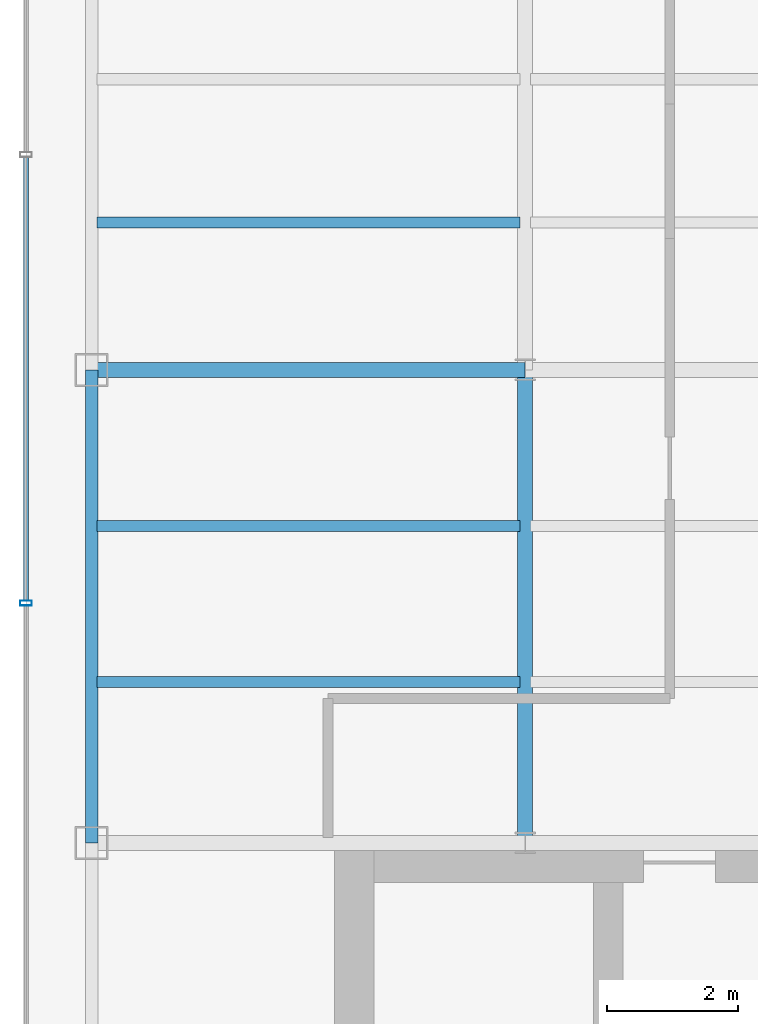
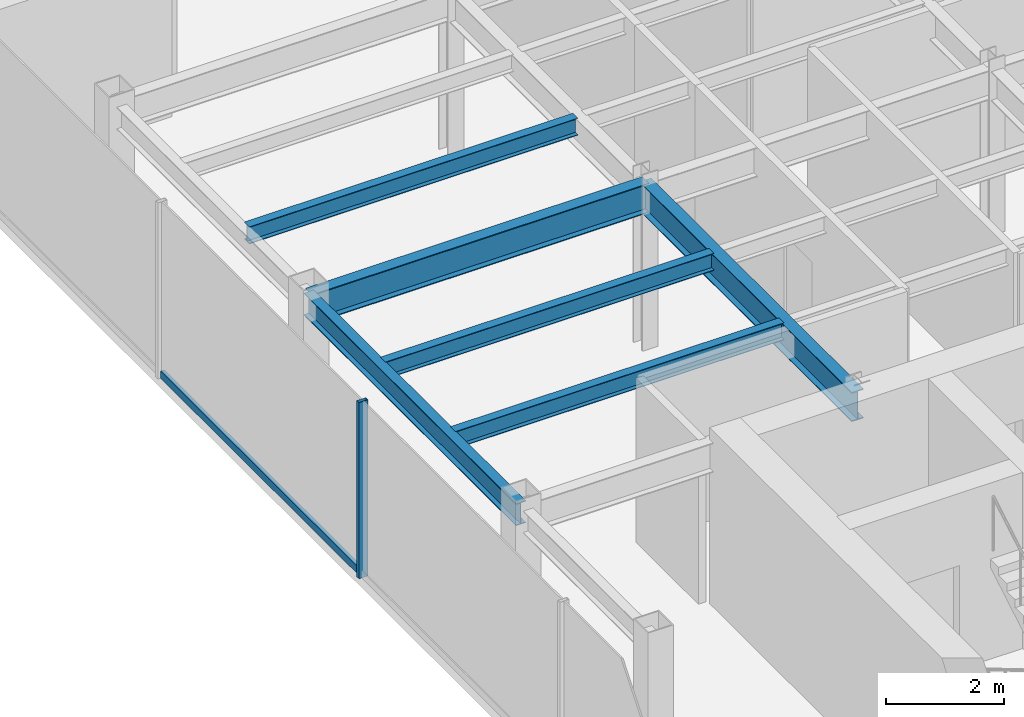
# One storey, part 5 of 22: 6 beams, 2 members, 1 element without a shape of its own.
"""IFC4 building model written with IfcOpenShell, lengths in metres."""

from ifc_helpers import new_model, si_unit, derived_unit, direction, frame, origin, origin_2d, place, context, subcontext, project, spatial, hollow_rectangle, i_section, extrude, source, transform, mapped, material, material_profile, profile_set, type_object, element, aggregate, save


model = new_model("IFC4")

# Units and contexts
model_context = context("Model", 3, precision=1e-05, world=origin(), true_north=direction((0.0, 1.0)))
body_context = subcontext(model_context, "Body", "Model", "MODEL_VIEW")
ifc_project = project(units=[si_unit("LENGTHUNIT", "METRE"), si_unit("AREAUNIT", "SQUARE_METRE"), si_unit("VOLUMEUNIT", "CUBIC_METRE"), si_unit("PLANEANGLEUNIT", "RADIAN"), si_unit("MASSUNIT", "GRAM", prefix="KILO"), derived_unit("THERMALTRANSMITTANCEUNIT", [(si_unit("POWERUNIT", "WATT"), 1), (si_unit("LENGTHUNIT", "METRE"), -2), (si_unit("THERMODYNAMICTEMPERATUREUNIT", "KELVIN"), -1)])], contexts=[model_context])

# Site, building, storey
site_placement = place(None, origin())
site = spatial("IfcSite", under=ifc_project, at=site_placement, CompositionType="ELEMENT")
building_placement = place(site_placement, origin())
building = spatial("IfcBuilding", under=site, at=building_placement, Name="Skarnbrae Concourse Arena and Tower", CompositionType="ELEMENT")
storey_placement = place(building_placement, frame((0.0, 0.0, 210.5)))
storey = spatial("IfcBuildingStorey", under=building, at=storey_placement, Name="L54", CompositionType="ELEMENT", Elevation=210.5)

# Beams
ifc_material_1 = material(Name="Steel CSA G40.21 350W", Category="steel")
ifc_material_profile_1 = material_profile(ifc_material_1, i_section(OverallWidth=0.22802734375, OverallDepth=0.60791015625, WebThickness=0.01123046875, FlangeThickness=0.017333984375, at=origin_2d()), Name="W610X113")
ifc_profile_set_1 = profile_set([ifc_material_profile_1], Name="Steel CSA G40.21 350W")
beam_type_1 = type_object("IfcBeamType", Name="BM-GIRD-W610X113", PredefinedType="BEAM", material=ifc_profile_set_1)
shared_shape_1 = source(origin(), body_context, "Body", "SweptSolid", [
    extrude(i_section(OverallWidth=0.22802734375, OverallDepth=0.60791015625, WebThickness=0.01123046875, FlangeThickness=0.017333984375, at=origin_2d()), origin(), (0.0, 0.0, 1.0), 6.60009765625),
])
beam_1_placement = place(storey_placement, frame((1.0, 21.199951171875, 3.095947265625), z_axis=(1.0, 0.0, 0.0), x_axis=(0.0, 1.0, 0.0)))
element("IfcBeam", 1, at=beam_1_placement, inside=storey, type_object=beam_type_1, Name="L54 Primary E-W girder Y21.2-1", PredefinedType="BEAM", context=body_context, shape_type="MappedRepresentation", body=[
    mapped(shared_shape_1, transform((0.0, 0.0, 0.0))),
])
ifc_material_profile_2 = material_profile(ifc_material_1, i_section(OverallWidth=0.19091796875, OverallDepth=0.4599609375, WebThickness=0.010009765625, FlangeThickness=0.01611328125, at=origin_2d()), Name="W460X82")
ifc_profile_set_2 = profile_set([ifc_material_profile_2], Name="Steel CSA G40.21 350W")
beam_type_2 = type_object("IfcBeamType", Name="BM-SPAN-W460X82", PredefinedType="SPANDREL", material=ifc_profile_set_2)
shared_shape_2 = source(origin(), body_context, "Body", "SweptSolid", [
    extrude(i_section(OverallWidth=0.19091796875, OverallDepth=0.4599609375, WebThickness=0.010009765625, FlangeThickness=0.01611328125, at=origin_2d()), origin(), (0.0, 0.0, 1.0), 7.199951171875),
])
beam_2_placement = place(storey_placement, frame((1.0, 14.0, 3.169921875), z_axis=(0.0, 1.0, 0.0), x_axis=(-1.0, 0.0, 0.0)))
element("IfcBeam", 2, at=beam_2_placement, inside=storey, type_object=beam_type_2, Name="L54 Perimeter spandrel X1.0-2", PredefinedType="SPANDREL", context=body_context, shape_type="MappedRepresentation", body=[
    mapped(shared_shape_2, transform((0.0, 0.0, 0.0))),
])
shared_shape_3 = source(origin(), body_context, "Body", "SweptSolid", [
    extrude(i_section(OverallWidth=0.22802734375, OverallDepth=0.60791015625, WebThickness=0.01123046875, FlangeThickness=0.017333984375, at=origin_2d()), origin(), (0.0, 0.0, 1.0), 7.199951171875),
])
beam_3_placement = place(storey_placement, frame((7.60009765625, 14.0, 3.095947265625), z_axis=(0.0, 1.0, 0.0), x_axis=(-1.0, 0.0, 0.0)))
element("IfcBeam", 3, at=beam_3_placement, inside=storey, type_object=beam_type_1, Name="L54 Primary N-S girder X7.6-1", PredefinedType="BEAM", context=body_context, shape_type="MappedRepresentation", body=[
    mapped(shared_shape_3, transform((0.0, 0.0, 0.0))),
])
ifc_material_profile_3 = material_profile(ifc_material_1, i_section(OverallWidth=0.1708984375, OverallDepth=0.35498046875, WebThickness=0.007080078125, FlangeThickness=0.01171875, at=origin_2d()), Name="W360X51")
ifc_profile_set_3 = profile_set([ifc_material_profile_3], Name="Steel CSA G40.21 350W")
beam_type_3 = type_object("IfcBeamType", Name="BM-JOIST-W360X51", PredefinedType="JOIST", material=ifc_profile_set_3)
shared_shape_4 = source(origin(), body_context, "Body", "SweptSolid", [
    extrude(i_section(OverallWidth=0.1708984375, OverallDepth=0.35498046875, WebThickness=0.007080078125, FlangeThickness=0.01171875, at=origin_2d()), origin(), (0.0, 0.0, 1.0), 6.43994140625),
])
for number, where, z_axis, x_axis, name in (
    (4, (1.080078125, 16.447998046875, 3.222412109375), (1.0, 0.0, 0.0), (0.0, 1.0, 0.0), "L54 Secondary floor joist 1.1.1"),
    (5, (1.080078125, 18.823974609375, 3.222412109375), (1.0, 0.0, 0.0), (0.0, 1.0, 0.0), "L54 Secondary floor joist 1.2.1"),
    (6, (1.080078125, 23.444091796875, 3.222412109375), (1.0, 0.0, 0.0), (0.0, 1.0, 0.0), "L54 Secondary floor joist 2.1.1"),
):
    element("IfcBeam", number, at=place(storey_placement, frame(where, z_axis=z_axis, x_axis=x_axis)), inside=storey, type_object=beam_type_3, Name=name, PredefinedType="JOIST", context=body_context, shape_type="MappedRepresentation", body=[
        mapped(shared_shape_4, transform((0.0, 0.0, 0.0))),
    ])

# Curtain wall, members
ifc_material_2 = material(Name="Bronze anodised aluminium 6063-T6", Category="aluminium")
curtain_wall_type = type_object("IfcCurtainWallType", Name="CW-SYS-05-HIGHZONE", PredefinedType="USERDEFINED", material=ifc_material_2)
curtain_wall_placement = place(storey_placement, origin())
curtain_wall = element("IfcCurtainWall", 7, at=curtain_wall_placement, inside=storey, type_object=curtain_wall_type, Name="L54 Unitised curtain wall CW-L54-E18", ObjectType="UNITISED CURTAIN WALL", PredefinedType="USERDEFINED")
ifc_material_profile_4 = material_profile(ifc_material_2, hollow_rectangle(XDim=0.074951171875, YDim=0.179931640625, WallThickness=0.00390625, at=origin_2d()), Name="ALU-MULL-75X180")
ifc_profile_set_4 = profile_set([ifc_material_profile_4], Name="Bronze anodised aluminium 6063-T6")
member_type_1 = type_object("IfcMemberType", Name="CWM-CW-05", PredefinedType="MULLION", material=ifc_profile_set_4)
shared_shape_5 = source(origin(), body_context, "Body", "SweptSolid", [
    extrude(hollow_rectangle(XDim=0.074951171875, YDim=0.179931640625, WallThickness=0.00390625, at=origin_2d()), origin(), (0.0, 0.0, 1.0), 3.64990234375),
])
member_1_placement = place(storey_placement, frame((0.0, 17.64990234375, 0.0), z_axis=(0.0, 0.0, 1.0), x_axis=(0.0, -1.0, 0.0)))
member_1 = element("IfcMember", 8, at=member_1_placement, type_object=member_type_1, Name="CW-L54-E18 Mullion 3", PredefinedType="MULLION", context=body_context, shape_type="MappedRepresentation", body=[
    mapped(shared_shape_5, transform((0.0, 0.0, 0.0))),
])
ifc_material_profile_5 = material_profile(ifc_material_2, hollow_rectangle(XDim=0.074951171875, YDim=0.14990234375, WallThickness=0.00390625, at=origin_2d()), Name="ALU-TRAN-75X150")
ifc_profile_set_5 = profile_set([ifc_material_profile_5], Name="Bronze anodised aluminium 6063-T6")
member_type_2 = type_object("IfcMemberType", Name="CWT-CW-05", PredefinedType="USERDEFINED", material=ifc_profile_set_5)
shared_shape_6 = source(origin(), body_context, "Body", "SweptSolid", [
    extrude(hollow_rectangle(XDim=0.074951171875, YDim=0.14990234375, WallThickness=0.00390625, at=origin_2d()), origin(), (0.0, 0.0, 1.0), 6.75),
])
member_2_placement = place(storey_placement, frame((0.0, 24.4375, 0.074951171875), z_axis=(0.0, -1.0, 0.0), x_axis=(1.0, 0.0, 0.0)))
member_2 = element("IfcMember", 9, at=member_2_placement, type_object=member_type_2, Name="CW-L54-E18 Transom 2", ObjectType="TRANSOM", PredefinedType="USERDEFINED", context=body_context, shape_type="MappedRepresentation", body=[
    mapped(shared_shape_6, transform((0.0, 0.0, 0.0))),
])
aggregate(curtain_wall, [member_1, member_2])

save(model, "model.ifc")
